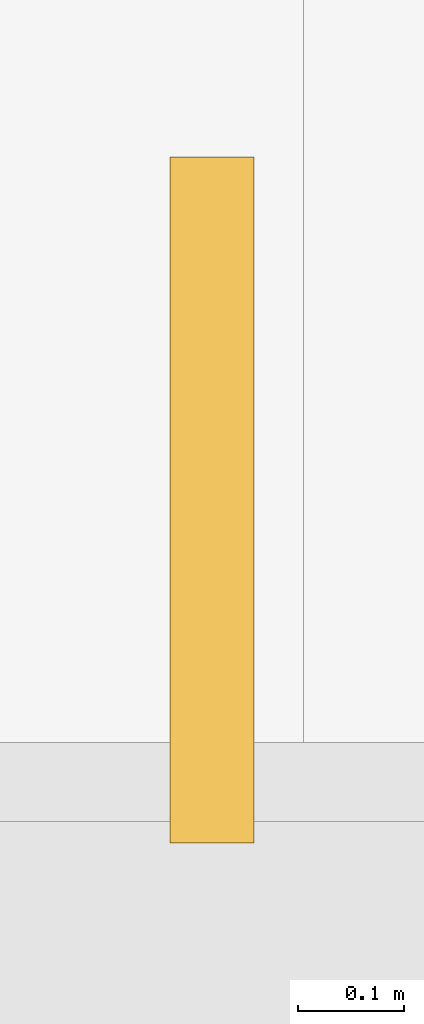
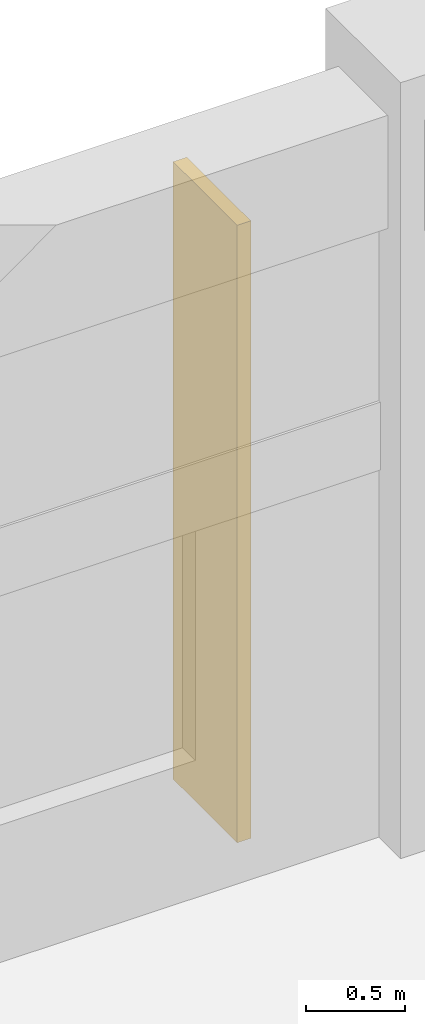
# One storey, part 187 of 192: 1 shading device.
"""IFC4 building model written with IfcOpenShell, lengths in metres."""

from ifc_helpers import new_model, si_unit, direction, frame, origin, origin_2d, place, context, subcontext, project, spatial, rectangle, extrude, material, type_object, element, save


model = new_model("IFC4")

# Units and contexts
model_context = context("Model", 3, precision=1e-05, world=origin(), true_north=direction((0.0, 1.0)))
body_context = subcontext(model_context, "Body", "Model", "MODEL_VIEW")
ifc_project = project(units=[si_unit("LENGTHUNIT", "METRE"), si_unit("AREAUNIT", "SQUARE_METRE"), si_unit("VOLUMEUNIT", "CUBIC_METRE"), si_unit("PLANEANGLEUNIT", "RADIAN"), si_unit("MASSUNIT", "GRAM", prefix="KILO")], contexts=[model_context])

# Site, building, storey
site_placement = place(None, origin())
site = spatial("IfcSite", under=ifc_project, at=site_placement, CompositionType="ELEMENT")
building_placement = place(site_placement, origin())
building = spatial("IfcBuilding", under=site, at=building_placement, Name="Trelvath General Hospital", CompositionType="ELEMENT")
storey_placement = place(building_placement, origin())
storey = spatial("IfcBuildingStorey", under=building, at=storey_placement, Name="L00", CompositionType="ELEMENT", Elevation=0.0)

# Shading device
ifc_material = material(Name="Anodised aluminium", Category="aluminium")
shading_device_type = type_object("IfcShadingDeviceType", Name="SolarScreen PerforatedAlu", PredefinedType="JALOUSIE", material=ifc_material)
shading_device_placement = place(storey_placement, frame((99.81298828125, 118.080078125, 0.0), z_axis=(0.0, 0.0, 1.0), x_axis=(0.0, 1.0, 0.0)))
element("IfcShadingDevice", 1, at=shading_device_placement, inside=storey, type_object=shading_device_type, Name="Solar Brise-Soleil Screen L00-11", PredefinedType="JALOUSIE", context=body_context, shape_type="SweptSolid", body=[
    extrude(rectangle(XDim=0.64990234375, YDim=0.080078125, at=origin_2d()), origin(), (0.0, 0.0, 1.0), 3.820068359375),
])

save(model, "model.ifc")
